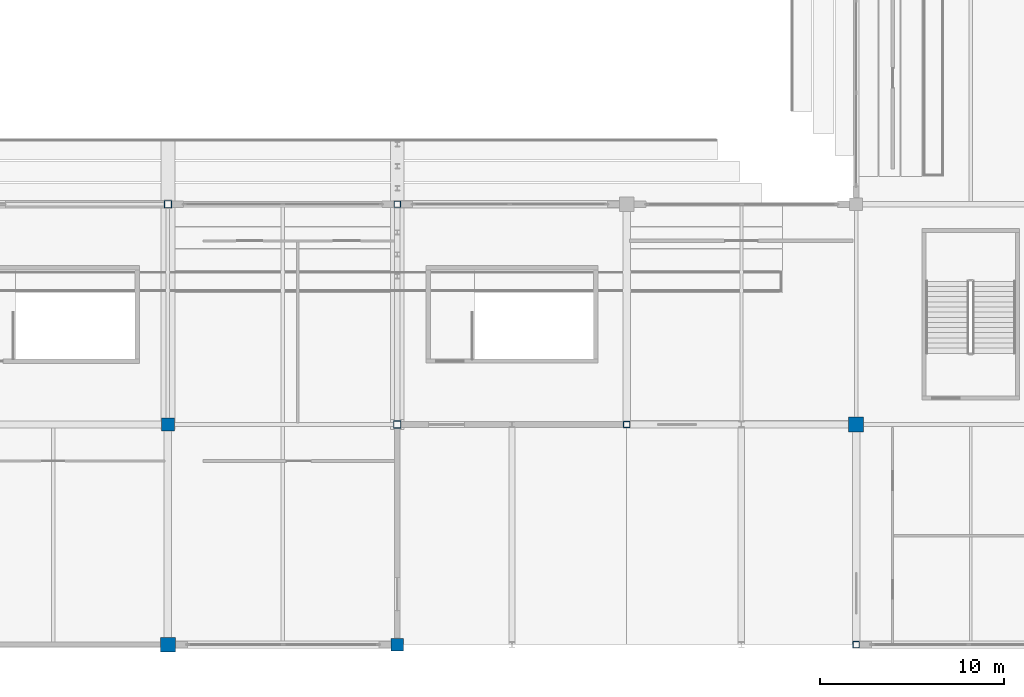
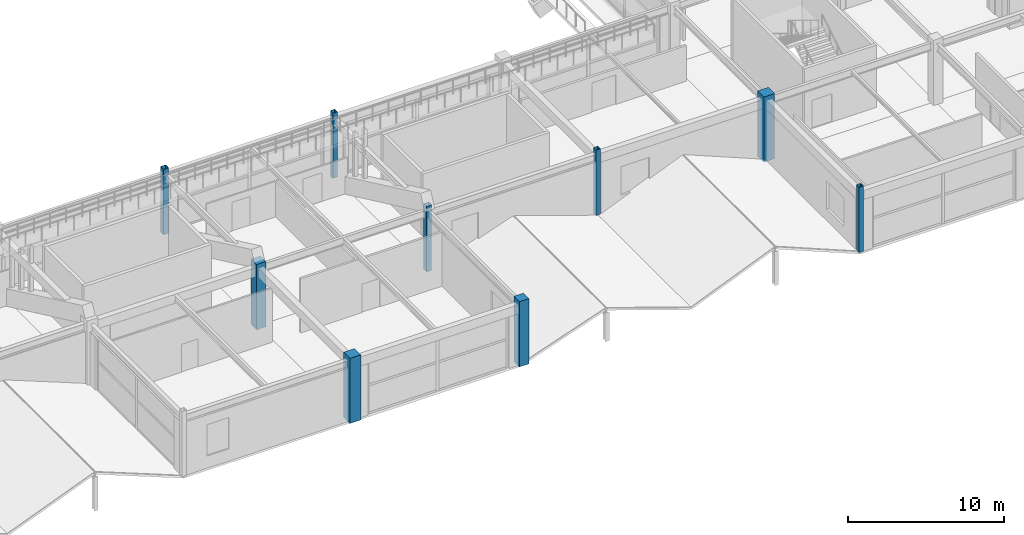
# One storey, part 11 of 128: 9 columns.
"""IFC4 building model written with IfcOpenShell, lengths in metres."""

from ifc_helpers import new_model, si_unit, direction, frame, origin, origin_2d, place, context, subcontext, project, spatial, rectangle, hollow_rectangle, extrude, material, material_profile, profile_set, type_object, element, save


model = new_model("IFC4")

# Units and contexts
model_context = context("Model", 3, precision=1e-05, world=origin(), true_north=direction((0.0, 1.0)))
body_context = subcontext(model_context, "Body", "Model", "MODEL_VIEW")
ifc_project = project(units=[si_unit("LENGTHUNIT", "METRE"), si_unit("AREAUNIT", "SQUARE_METRE"), si_unit("VOLUMEUNIT", "CUBIC_METRE"), si_unit("PLANEANGLEUNIT", "RADIAN"), si_unit("MASSUNIT", "GRAM", prefix="KILO")], contexts=[model_context])

# Site, building, storey
site_placement = place(None, origin())
site = spatial("IfcSite", under=ifc_project, at=site_placement, CompositionType="ELEMENT")
building_placement = place(site_placement, origin())
building = spatial("IfcBuilding", under=site, at=building_placement, Name="Kazenohara Klinker Stadium", CompositionType="ELEMENT")
storey_placement = place(building_placement, frame((0.0, 0.0, 15.300048828125)))
storey = spatial("IfcBuildingStorey", under=building, at=storey_placement, Name="L03", CompositionType="ELEMENT", Elevation=15.300048828125)

# Columns
ifc_material_1 = material(Name="Concrete C40/50", Category="concrete")
ifc_material_profile_1 = material_profile(ifc_material_1, rectangle(XDim=0.800048828125, YDim=0.800048828125, at=origin_2d()), Name="RC-COL-800x800")
ifc_profile_set_1 = profile_set([ifc_material_profile_1], Name="Concrete C40/50")
column_type_1 = type_object("IfcColumnType", Name="COL-RC05", PredefinedType="COLUMN", material=ifc_profile_set_1)
for number, where, z_axis, x_axis, name in (
    (1, (137.5, 12.0, 0.0), (0.0, 0.0, 1.0), (1.0, 0.0, 0.0), "Column C05 L03 12/B"),
    (2, (175.0, 24.0, 0.0), (0.0, 0.0, 1.0), (1.0, 0.0, 0.0), "Column C05 L03 15/C"),
):
    element("IfcColumn", number, at=place(storey_placement, frame(where, z_axis=z_axis, x_axis=x_axis)), inside=storey, type_object=column_type_1, Name=name, PredefinedType="COLUMN", context=body_context, shape_type="SweptSolid", body=[
        extrude(rectangle(XDim=0.800048828125, YDim=0.800048828125, at=origin_2d()), origin(), (0.0, 0.0, 1.0), 5.099853515625),
    ])
ifc_material_profile_2 = material_profile(ifc_material_1, rectangle(XDim=0.699951171875, YDim=0.699951171875, at=origin_2d()), Name="RC-COL-700x700")
ifc_profile_set_2 = profile_set([ifc_material_profile_2], Name="Concrete C40/50")
column_type_2 = type_object("IfcColumnType", Name="COL-RC06", PredefinedType="COLUMN", material=ifc_profile_set_2)
for number, where, z_axis, x_axis, name in (
    (3, (137.5, 24.0, 0.0), (0.0, 0.0, 1.0), (1.0, 0.0, 0.0), "Column C06 L03 12/C"),
    (4, (150.0, 12.0, 0.0), (0.0, 0.0, 1.0), (1.0, 0.0, 0.0), "Column C06 L03 13/B"),
):
    element("IfcColumn", number, at=place(storey_placement, frame(where, z_axis=z_axis, x_axis=x_axis)), inside=storey, type_object=column_type_2, Name=name, PredefinedType="COLUMN", context=body_context, shape_type="SweptSolid", body=[
        extrude(rectangle(XDim=0.699951171875, YDim=0.699951171875, at=origin_2d()), origin(), (0.0, 0.0, 1.0), 5.099853515625),
    ])
ifc_material_2 = material(Name="Steel S355", Category="steel")
ifc_material_profile_3 = material_profile(ifc_material_2, hollow_rectangle(XDim=0.39990234375, YDim=0.39990234375, WallThickness=0.01611328125, InnerFilletRadius=0.01611328125, OuterFilletRadius=0.031982421875, at=origin_2d()), Name="SHS-400x400x16")
ifc_profile_set_3 = profile_set([ifc_material_profile_3], Name="Steel S355")
column_type_3 = type_object("IfcColumnType", Name="COL-ST01", PredefinedType="COLUMN", material=ifc_profile_set_3)
for number, where, z_axis, x_axis, name in (
    (5, (137.5, 36.0, 0.0), (0.0, 0.0, 1.0), (1.0, 0.0, 0.0), "Column SC01 L03 12/D"),
    (6, (150.0, 24.0, 0.0), (0.0, 0.0, 1.0), (1.0, 0.0, 0.0), "Column SC01 L03 13/C"),
):
    element("IfcColumn", number, at=place(storey_placement, frame(where, z_axis=z_axis, x_axis=x_axis)), inside=storey, type_object=column_type_3, Name=name, PredefinedType="COLUMN", context=body_context, shape_type="SweptSolid", body=[
        extrude(hollow_rectangle(XDim=0.39990234375, YDim=0.39990234375, WallThickness=0.01611328125, InnerFilletRadius=0.01611328125, OuterFilletRadius=0.031982421875, at=origin_2d()), origin(), (0.0, 0.0, 1.0), 5.099853515625),
    ])
ifc_material_profile_4 = material_profile(ifc_material_2, hollow_rectangle(XDim=0.35009765625, YDim=0.35009765625, WallThickness=0.01611328125, InnerFilletRadius=0.01611328125, OuterFilletRadius=0.031982421875, at=origin_2d()), Name="SHS-350x350x16")
ifc_profile_set_4 = profile_set([ifc_material_profile_4], Name="Steel S355")
column_type_4 = type_object("IfcColumnType", Name="COL-ST02", PredefinedType="COLUMN", material=ifc_profile_set_4)
for number, where, z_axis, x_axis, name in (
    (7, (150.0, 36.0, 0.0), (0.0, 0.0, 1.0), (1.0, 0.0, 0.0), "Column SC02 L03 13/D"),
    (8, (162.5, 24.0, 0.0), (0.0, 0.0, 1.0), (1.0, 0.0, 0.0), "Column SC02 L03 14/C"),
    (9, (175.0, 12.0, 0.0), (0.0, 0.0, 1.0), (1.0, 0.0, 0.0), "Column SC02 L03 15/B"),
):
    element("IfcColumn", number, at=place(storey_placement, frame(where, z_axis=z_axis, x_axis=x_axis)), inside=storey, type_object=column_type_4, Name=name, PredefinedType="COLUMN", context=body_context, shape_type="SweptSolid", body=[
        extrude(hollow_rectangle(XDim=0.35009765625, YDim=0.35009765625, WallThickness=0.01611328125, InnerFilletRadius=0.01611328125, OuterFilletRadius=0.031982421875, at=origin_2d()), origin(), (0.0, 0.0, 1.0), 5.099853515625),
    ])

save(model, "model.ifc")
